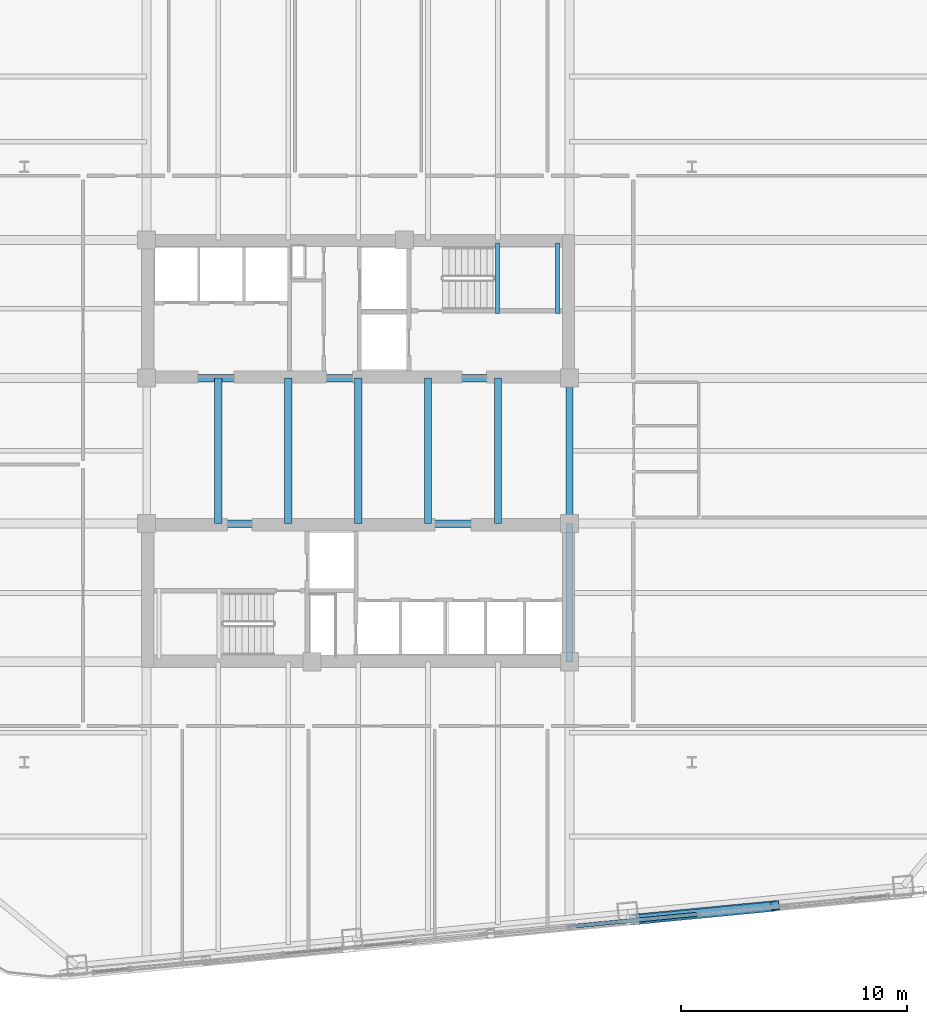
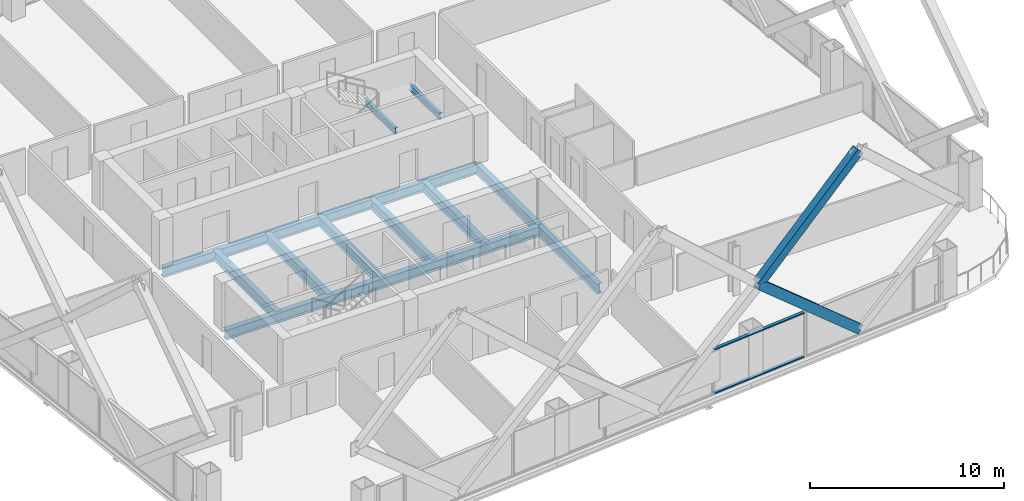
# One storey, part 11 of 32: 11 beams, 4 members, 1 element without a shape of its own.
"""IFC4 building model written with IfcOpenShell, lengths in metres."""

from ifc_helpers import new_model, si_unit, direction, frame, origin, origin_2d, place, context, subcontext, project, spatial, hollow_rectangle, i_section, extrude, material, layer, layer_set, material_profile, profile_set, type_object, element, aggregate, save


model = new_model("IFC4")

# Units and contexts
model_context = context("Model", 3, precision=1e-05, world=origin(), true_north=direction((0.0, 1.0)))
body_context = subcontext(model_context, "Body", "Model", "MODEL_VIEW")
ifc_project = project(units=[si_unit("LENGTHUNIT", "METRE"), si_unit("AREAUNIT", "SQUARE_METRE"), si_unit("VOLUMEUNIT", "CUBIC_METRE"), si_unit("PLANEANGLEUNIT", "RADIAN"), si_unit("MASSUNIT", "GRAM", prefix="KILO")], contexts=[model_context])

# Site, building, storey
site_placement = place(None, origin())
site = spatial("IfcSite", under=ifc_project, at=site_placement, CompositionType="ELEMENT")
building_placement = place(site_placement, origin())
building = spatial("IfcBuilding", under=site, at=building_placement, Name="Qhalaya Broadcast Tower", CompositionType="ELEMENT")
storey_placement = place(building_placement, frame((0.0, 0.0, 81.64990234375)))
storey = spatial("IfcBuildingStorey", under=building, at=storey_placement, Name="L23", CompositionType="ELEMENT", Elevation=81.64990234375)

# Beams
ifc_material_1 = material(Name="Structural Steel ASTM A992 Grade 50", Category="steel")
ifc_material_profile_1 = material_profile(ifc_material_1, i_section(OverallWidth=0.323974609375, OverallDepth=0.612060546875, WebThickness=0.0126953125, FlangeThickness=0.01904296875, at=origin_2d()), Name="W24X104")
ifc_profile_set_1 = profile_set([ifc_material_profile_1], Name="Structural Steel ASTM A992 Grade 50")
beam_type_1 = type_object("IfcBeamType", Name="Core Frame Tie Beam B04", PredefinedType="BEAM", material=ifc_profile_set_1)
for number, where, z_axis, x_axis, name in (
    (1, (-9.375, 3.824951171875, -0.52587890625), (1.0, 0.0, 0.0), (0.0, 1.0, 0.0), "L23 B04 L23-CCN1"),
    (2, (-9.375, -2.625, -0.52587890625), (1.0, 0.0, 0.0), (0.0, 1.0, 0.0), "L23 B04 L23-CCS1"),
):
    element("IfcBeam", number, at=place(storey_placement, frame(where, z_axis=z_axis, x_axis=x_axis)), inside=storey, type_object=beam_type_1, Name=name, PredefinedType="BEAM", context=body_context, shape_type="SweptSolid", body=[
        extrude(i_section(OverallWidth=0.323974609375, OverallDepth=0.612060546875, WebThickness=0.0126953125, FlangeThickness=0.01904296875, at=origin_2d()), origin(), (0.0, 0.0, 1.0), 18.75),
    ])
beam_placement = place(storey_placement, frame((9.375, -8.75, -0.52587890625), z_axis=(0.0, 1.0, 0.0), x_axis=(-1.0, 0.0, 0.0)))
element("IfcBeam", 3, at=beam_placement, inside=storey, type_object=beam_type_1, Name="L23 B04 L23-CCS2", PredefinedType="BEAM", context=body_context, shape_type="SweptSolid", body=[
    extrude(i_section(OverallWidth=0.323974609375, OverallDepth=0.612060546875, WebThickness=0.0126953125, FlangeThickness=0.01904296875, at=origin_2d()), origin(), (0.0, 0.0, 1.0), 6.125),
])
for number, where, z_axis, x_axis, name in (
    (4, (9.375, -2.625, -0.52587890625), (0.0, 1.0, 0.0), (-1.0, 0.0, 0.0), "L23 B04 L23-CCE"),
    (5, (-6.199951171875, -2.625, -0.52587890625), (0.0, 1.0, 0.0), (-1.0, 0.0, 0.0), "L23 B04 L23-JC1-1"),
    (6, (-3.10009765625, -2.625, -0.52587890625), (0.0, 1.0, 0.0), (-1.0, 0.0, 0.0), "L23 B04 L23-JC2-1"),
    (7, (0.0, -2.625, -0.52587890625), (0.0, 1.0, 0.0), (-1.0, 0.0, 0.0), "L23 B04 L23-JC3-1"),
    (8, (3.10009765625, -2.625, -0.52587890625), (0.0, 1.0, 0.0), (-1.0, 0.0, 0.0), "L23 B04 L23-JC4-1"),
    (9, (6.199951171875, -2.625, -0.52587890625), (0.0, 1.0, 0.0), (-1.0, 0.0, 0.0), "L23 B04 L23-JC5-1"),
):
    element("IfcBeam", number, at=place(storey_placement, frame(where, z_axis=z_axis, x_axis=x_axis)), inside=storey, type_object=beam_type_1, Name=name, PredefinedType="BEAM", context=body_context, shape_type="SweptSolid", body=[
        extrude(i_section(OverallWidth=0.323974609375, OverallDepth=0.612060546875, WebThickness=0.0126953125, FlangeThickness=0.01904296875, at=origin_2d()), origin(), (0.0, 0.0, 1.0), 6.449951171875),
    ])

# Members
ifc_material_2 = material(Name="Structural Steel ASTM A572 Grade 50", Category="steel")
ifc_material_profile_2 = material_profile(ifc_material_2, hollow_rectangle(XDim=0.419921875, YDim=0.550048828125, WallThickness=0.028076171875, at=origin_2d()), Name="BOX 420x550x28")
ifc_profile_set_2 = profile_set([ifc_material_profile_2], Name="Structural Steel ASTM A572 Grade 50")
member_type_1 = type_object("IfcMemberType", Name="Exoskeleton Diamond Diagonal Mid-Low EX2", PredefinedType="BRACE", material=ifc_profile_set_2)
member_1_placement = place(storey_placement, frame((18.49072265625, -19.573486328125, 0.360107421875), z_axis=(-0.758637209183, -0.073037413912, 0.647406457345), x_axis=(0.157155783857, -0.98486851796, 0.073048353381)))
element("IfcMember", 10, at=member_1_placement, inside=storey, type_object=member_type_1, Name="B2 Exoskeleton Diamond Brace S3-D1", PredefinedType="BRACE", context=body_context, shape_type="SweptSolid", body=[
    extrude(hollow_rectangle(XDim=0.419921875, YDim=0.550048828125, WallThickness=0.028076171875, at=origin_2d()), origin(), (0.0, 0.0, 1.0), 8.309814453125),
])
member_2_placement = place(storey_placement, frame((12.1865234375, -20.180419921875, 5.739990234375), z_axis=(0.730619555004, 0.070340028415, 0.679151931638), x_axis=(-0.160184449091, 0.984576934745, 0.070350563873)))
element("IfcMember", 11, at=member_2_placement, inside=storey, type_object=member_type_1, Name="B2 Exoskeleton Diamond Brace S3-D3", PredefinedType="BRACE", context=body_context, shape_type="SweptSolid", body=[
    extrude(hollow_rectangle(XDim=0.419921875, YDim=0.550048828125, WallThickness=0.028076171875, at=origin_2d()), origin(), (0.0, 0.0, 1.0), 8.628662109375),
])

# Curtain wall, members
ifc_material_3 = material(Name="Solar-Control Low-E Triple Glazing", Category="glass")
ifc_layer = layer(ifc_material_3, 0.219970703125, Name="Solar-Control Low-E Triple Glazing")
ifc_layer_set = layer_set([ifc_layer], Name="Solar-Control Low-E Triple Glazing")
curtain_wall_type = type_object("IfcCurtainWallType", Name="Even-Block 4-Storey Double-Module Curtain Wall CW-03", PredefinedType="NOTDEFINED", material=ifc_layer_set)
curtain_wall_placement = place(storey_placement, origin())
curtain_wall = element("IfcCurtainWall", 12, at=curtain_wall_placement, inside=storey, type_object=curtain_wall_type, Name="L23 Unitised Curtain Wall L23-CW-S5", PredefinedType="NOTDEFINED")
ifc_material_4 = material(Name="Anodised Aluminium 6063-T6", Category="aluminium")
ifc_material_profile_3 = material_profile(ifc_material_4, hollow_rectangle(XDim=0.074951171875, YDim=0.179931640625, WallThickness=0.00390625, at=origin_2d()), Name="ALU-TRN 75x180x4")
ifc_profile_set_3 = profile_set([ifc_material_profile_3], Name="Anodised Aluminium 6063-T6")
member_type_2 = type_object("IfcMemberType", Name="Unitised Curtain-Wall Transom T01", PredefinedType="USERDEFINED", material=ifc_profile_set_3)
member_3_placement = place(storey_placement, frame((9.3671875, -20.4921875, 0.03759765625), z_axis=(0.995396878598, 0.095838687792, 0.0), x_axis=(0.0, 0.0, 1.0)))
member_3 = element("IfcMember", 13, at=member_3_placement, type_object=member_type_2, Name="CW-03 transom 1.1", ObjectType="TRANSOM", PredefinedType="USERDEFINED", context=body_context, shape_type="SweptSolid", body=[
    extrude(hollow_rectangle(XDim=0.074951171875, YDim=0.179931640625, WallThickness=0.00390625, at=origin_2d()), origin(), (0.0, 0.0, 1.0), 5.673095703125),
])
member_4_placement = place(storey_placement, frame((9.3671875, -20.4921875, 2.79248046875), z_axis=(0.995396878598, 0.095838687792, 0.0), x_axis=(0.0, 0.0, 1.0)))
member_4 = element("IfcMember", 14, at=member_4_placement, type_object=member_type_2, Name="CW-03 transom 1.2", ObjectType="TRANSOM", PredefinedType="USERDEFINED", context=body_context, shape_type="SweptSolid", body=[
    extrude(hollow_rectangle(XDim=0.074951171875, YDim=0.179931640625, WallThickness=0.00390625, at=origin_2d()), origin(), (0.0, 0.0, 1.0), 5.673095703125),
])
aggregate(curtain_wall, [member_3, member_4])

# Beams
ifc_material_profile_4 = material_profile(ifc_material_1, i_section(OverallWidth=0.177978515625, OverallDepth=0.406005859375, WebThickness=0.0078125, FlangeThickness=0.0126953125, at=origin_2d()), Name="W16X40")
ifc_profile_set_4 = profile_set([ifc_material_profile_4], Name="Structural Steel ASTM A992 Grade 50")
beam_type_2 = type_object("IfcBeamType", Name="Upper Perimeter Spandrel Beam SP2", PredefinedType="SPANDREL", material=ifc_profile_set_4)
for number, where, z_axis, x_axis, name in (
    (15, (6.175048828125, 6.699951171875, 1.1220703125), (0.0, 1.0, 0.0), (-1.0, 0.0, 0.0), "L23 ST-1 Half-Landing Bearer Beam 1"),
    (16, (8.830078125, 6.699951171875, 1.1220703125), (0.0, 1.0, 0.0), (-1.0, 0.0, 0.0), "L23 ST-1 Half-Landing Bearer Beam 2"),
):
    element("IfcBeam", number, at=place(storey_placement, frame(where, z_axis=z_axis, x_axis=x_axis)), inside=storey, type_object=beam_type_2, Name=name, PredefinedType="SPANDREL", context=body_context, shape_type="SweptSolid", body=[
        extrude(i_section(OverallWidth=0.177978515625, OverallDepth=0.406005859375, WebThickness=0.0078125, FlangeThickness=0.0126953125, at=origin_2d()), origin(), (0.0, 0.0, 1.0), 3.1201171875),
    ])

save(model, "model.ifc")
